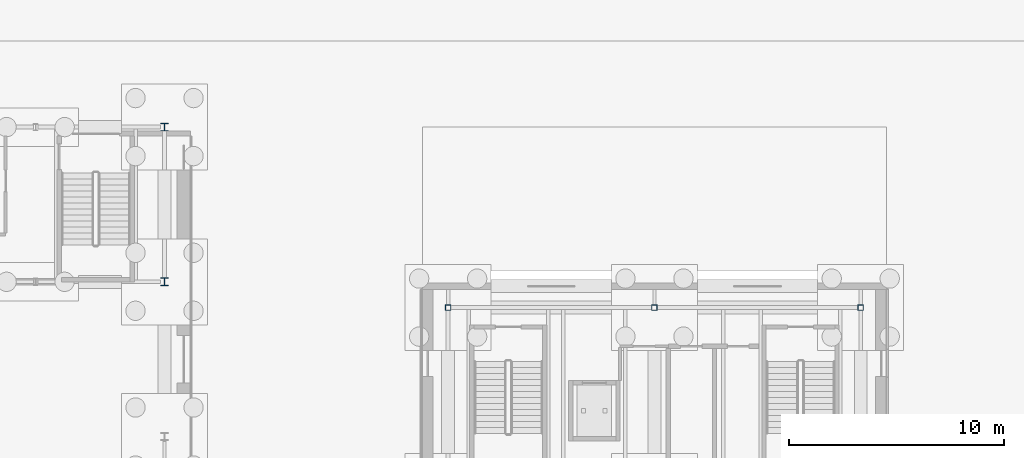
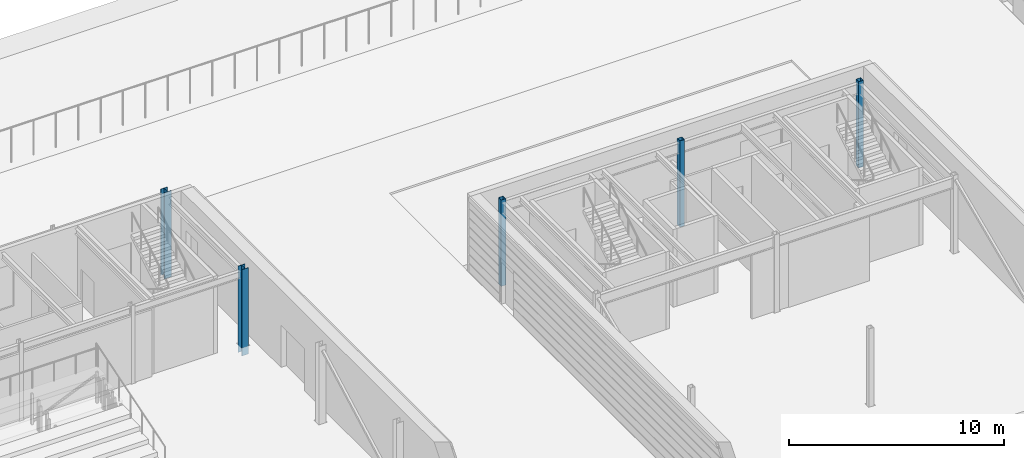
# One storey, part 19 of 139: 5 columns.
"""IFC4 building model written with IfcOpenShell, lengths in metres."""

from ifc_helpers import new_model, si_unit, direction, frame, origin, origin_2d, place, context, subcontext, project, spatial, hollow_rectangle, i_section, extrude, material, material_profile, profile_set, type_object, element, save


model = new_model("IFC4")

# Units and contexts
model_context = context("Model", 3, precision=1e-05, world=origin(), true_north=direction((0.0, 1.0)))
body_context = subcontext(model_context, "Body", "Model", "MODEL_VIEW")
ifc_project = project(units=[si_unit("LENGTHUNIT", "METRE"), si_unit("AREAUNIT", "SQUARE_METRE"), si_unit("VOLUMEUNIT", "CUBIC_METRE"), si_unit("PLANEANGLEUNIT", "RADIAN"), si_unit("MASSUNIT", "GRAM", prefix="KILO")], contexts=[model_context])

# Site, building, storey
site_placement = place(None, origin())
site = spatial("IfcSite", under=ifc_project, at=site_placement, CompositionType="ELEMENT")
building_placement = place(site_placement, origin())
building = spatial("IfcBuilding", under=site, at=building_placement, Name="Verrick Yard Athletic Hall", CompositionType="ELEMENT")
storey_placement = place(building_placement, origin())
storey = spatial("IfcBuildingStorey", under=building, at=storey_placement, Name="L00", CompositionType="ELEMENT", Elevation=0.0)

# Columns
ifc_material_1 = material(Name="Structural steel HSS Class C 350W (CSA G40.20/G40.21)", Category="steel")
ifc_material_profile_1 = material_profile(ifc_material_1, hollow_rectangle(XDim=0.25390625, YDim=0.25390625, WallThickness=0.0126953125, at=origin_2d()), Name="HSS254x254x13")
ifc_profile_set_1 = profile_set([ifc_material_profile_1], Name="Structural steel HSS Class C 350W (CSA G40.20/G40.21)")
column_type_1 = type_object("IfcColumnType", Name="HB column HSS254x254x13", PredefinedType="COLUMN", material=ifc_profile_set_1)
for number, where, z_axis, x_axis, name in (
    (1, (89.199951171875, 99.60009765625, -0.5), (0.0, 0.0, 1.0), (1.0, 0.0, 0.0), "HB-C-CH14-L00"),
    (2, (98.800048828125, 99.60009765625, -0.5), (0.0, 0.0, 1.0), (1.0, 0.0, 0.0), "HB-C-CH24-L00"),
    (3, (108.39990234375, 99.60009765625, -0.5), (0.0, 0.0, 1.0), (1.0, 0.0, 0.0), "HB-C-CH34-L00"),
):
    element("IfcColumn", number, at=place(storey_placement, frame(where, z_axis=z_axis, x_axis=x_axis)), inside=storey, type_object=column_type_1, Name=name, PredefinedType="COLUMN", context=body_context, shape_type="SweptSolid", body=[
        extrude(hollow_rectangle(XDim=0.25390625, YDim=0.25390625, WallThickness=0.0126953125, at=origin_2d()), origin(), (0.0, 0.0, 1.0), 4.89990234375),
    ])
ifc_material_2 = material(Name="Structural steel 350W (CSA G40.21)", Category="steel")
ifc_material_profile_2 = material_profile(ifc_material_2, i_section(OverallWidth=0.368896484375, OverallDepth=0.35595703125, WebThickness=0.01123046875, FlangeThickness=0.01806640625, at=origin_2d()), Name="W360x134")
ifc_profile_set_2 = profile_set([ifc_material_profile_2], Name="Structural steel 350W (CSA G40.21)")
column_type_2 = type_object("IfcColumnType", Name="HB column W360x134", PredefinedType="COLUMN", material=ifc_profile_set_2)
for number, where, z_axis, x_axis, name in (
    (4, (76.0, 100.800048828125, -0.5), (0.0, 0.0, 1.0), (1.0, 0.0, 0.0), "HB-C-HBE5-L00"),
    (5, (76.0, 108.0, -0.5), (0.0, 0.0, 1.0), (1.0, 0.0, 0.0), "HB-C-HBE6-L00"),
):
    element("IfcColumn", number, at=place(storey_placement, frame(where, z_axis=z_axis, x_axis=x_axis)), inside=storey, type_object=column_type_2, Name=name, PredefinedType="COLUMN", context=body_context, shape_type="SweptSolid", body=[
        extrude(i_section(OverallWidth=0.368896484375, OverallDepth=0.35595703125, WebThickness=0.01123046875, FlangeThickness=0.01806640625, at=origin_2d()), origin(), (0.0, 0.0, 1.0), 4.89990234375),
    ])

save(model, "model.ifc")
